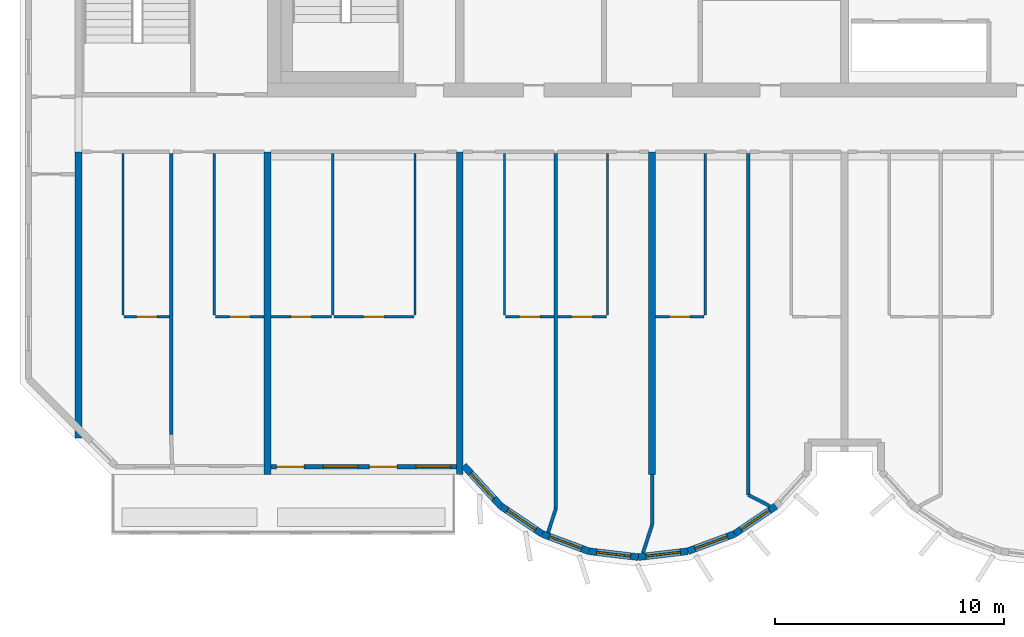
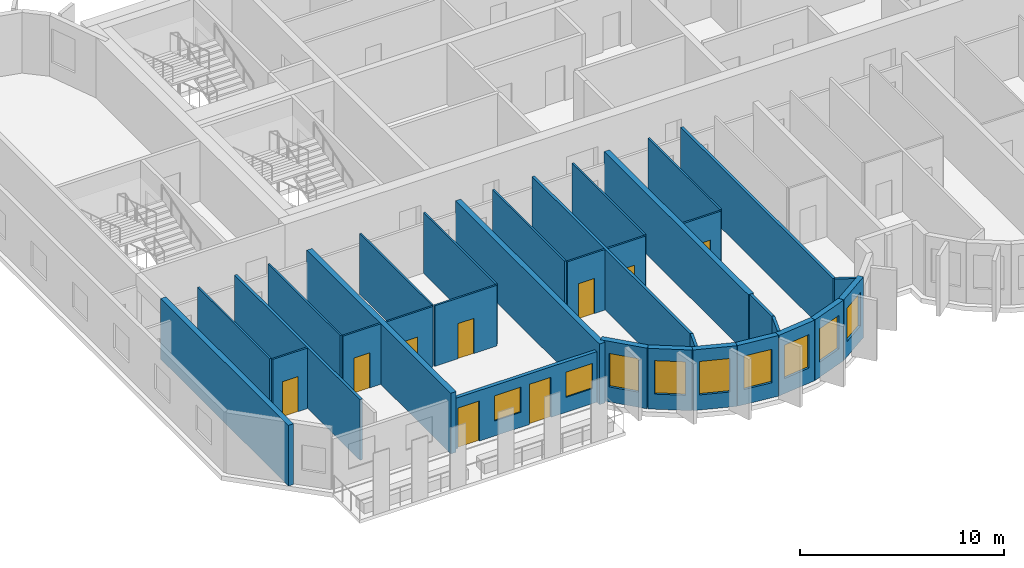
# One storey, part 2 of 11: 33 walls, 9 doors, 9 windows, 18 openings.
"""IFC4 building model written with IfcOpenShell, lengths in metres."""

from ifc_helpers import new_model, si_unit, direction, frame, frame_2d, origin, place, context, subcontext, project, spatial, rectangle, extrude, source, transform, mapped, material, layer, layer_set, type_object, element, fill, save


model = new_model("IFC4")

# Units and contexts
model_context = context("Model", 3, precision=1e-05, world=origin(), true_north=direction((0.0, 1.0)))
body_context = subcontext(model_context, "Body", "Model", "MODEL_VIEW")
ifc_project = project(units=[si_unit("LENGTHUNIT", "METRE"), si_unit("AREAUNIT", "SQUARE_METRE"), si_unit("VOLUMEUNIT", "CUBIC_METRE"), si_unit("PLANEANGLEUNIT", "RADIAN"), si_unit("MASSUNIT", "GRAM", prefix="KILO")], contexts=[model_context])

# Site, building, storey
site_placement = place(None, origin())
site = spatial("IfcSite", under=ifc_project, at=site_placement, CompositionType="ELEMENT")
building_placement = place(site_placement, origin())
building = spatial("IfcBuilding", under=site, at=building_placement, Name="Vanashikhar Sky Hotel", CompositionType="ELEMENT")
storey_placement = place(building_placement, frame((0.0, 0.0, 233.5)))
storey = spatial("IfcBuildingStorey", under=building, at=storey_placement, Name="L56", CompositionType="ELEMENT", Elevation=233.5)

# Walls
ifc_material_1 = material(Name="Concrete M60", Category="concrete")
ifc_layer_1 = layer(ifc_material_1, 0.300048828125)
ifc_layer_set_1 = layer_set([ifc_layer_1], Name="RC shear wall 300 Concrete M60")
wall_type_1 = type_object("IfcWallType", Name="RC shear wall 300 Concrete M60", PredefinedType="SHEAR", material=ifc_layer_set_1)
shared_shape_1 = source(origin(), body_context, "Body", "SweptSolid", [
    extrude(rectangle(XDim=12.5, YDim=0.300048828125, at=frame_2d((6.25, 0.0))), origin(), (0.0, 0.0, 1.0), 3.6201171875),
])
wall_1_placement = place(storey_placement, frame((16.949951171875, 7.10009765625, 0.0), z_axis=(0.0, 0.0, 1.0), x_axis=(0.0, 1.0, 0.0)))
element("IfcWall", 1, at=wall_1_placement, inside=storey, type_object=wall_type_1, Name="CW-L56-XW03-1", PredefinedType="SHEAR", context=body_context, shape_type="MappedRepresentation", body=[
    mapped(shared_shape_1, transform((0.0, 0.0, 0.0), scale=1.0)),
])
shared_shape_2 = source(origin(), body_context, "Body", "SweptSolid", [
    extrude(rectangle(XDim=14.10009765625, YDim=0.300048828125, at=frame_2d((7.050048828125, 0.0))), origin(), (0.0, 0.0, 1.0), 3.6201171875),
])
for number, where, z_axis, x_axis, name in (
    (2, (25.199951171875, 5.5, 0.0), (0.0, 0.0, 1.0), (0.0, 1.0, 0.0), "CW-L56-XW04-1"),
    (3, (33.60009765625, 5.5, 0.0), (0.0, 0.0, 1.0), (0.0, 1.0, 0.0), "CW-L56-XW05-1"),
    (4, (42.0, 5.5, 0.0), (0.0, 0.0, 1.0), (0.0, 1.0, 0.0), "CW-L56-XW06-1"),
):
    element("IfcWall", number, at=place(storey_placement, frame(where, z_axis=z_axis, x_axis=x_axis)), inside=storey, type_object=wall_type_1, Name=name, PredefinedType="SHEAR", context=body_context, shape_type="MappedRepresentation", body=[
        mapped(shared_shape_2, transform((0.0, 0.0, 0.0), scale=1.0)),
    ])

# Wall, openings, windows, doors
ifc_material_2 = material(Name="Concrete M50", Category="concrete")
ifc_layer_2 = layer(ifc_material_2, 0.199951171875)
ifc_layer_set_2 = layer_set([ifc_layer_2], Name="Front window wall 200")
wall_type_2 = type_object("IfcWallType", Name="Front window wall 200", PredefinedType="SOLIDWALL", material=ifc_layer_set_2)
shared_shape_3 = source(origin(), body_context, "Body", "SweptSolid", [
    extrude(rectangle(XDim=8.099853515625, YDim=0.199951171875, at=frame_2d((4.0498046875, 0.0))), origin(), (0.0, 0.0, 1.0), 3.02001953125),
])
wall_2_placement = place(storey_placement, frame((25.35009765625, 5.85009765625, 0.0), z_axis=(0.0, 0.0, 1.0), x_axis=(1.0, 0.0, 0.0)))
wall_2 = element("IfcWall", 5, at=wall_2_placement, inside=storey, type_object=wall_type_2, Name="Front window wall", PredefinedType="SOLIDWALL", context=body_context, shape_type="MappedRepresentation", body=[
    mapped(shared_shape_3, transform((0.0, 0.0, 0.0), scale=1.0)),
])
shared_shape_4 = source(origin(), body_context, "Body", "SweptSolid", [
    extrude(rectangle(XDim=1.199951171875, YDim=2.39990234375, at=frame_2d((0.60009765625, 1.199951171875))), frame((0.0, 0.10986328125, 0.0), z_axis=(0.0, -1.0, 0.0), x_axis=(1.0, 0.0, 0.0)), (0.0, 0.0, 1.0), 0.219970703125),
])
opening_1_placement = place(wall_2_placement, frame((0.25, 0.0, 0.0)))
opening_1 = element("IfcOpeningElement", 6, at=opening_1_placement, cuts=wall_2, Name="Opening BD-01", PredefinedType="OPENING", context=body_context, shape_type="MappedRepresentation", body=[
    mapped(shared_shape_4, transform((0.0, 0.0, 0.0), scale=1.0)),
])
shared_shape_5 = source(origin(), body_context, "Body", "SweptSolid", [
    extrude(rectangle(XDim=1.5, YDim=1.5, at=frame_2d((0.75, 0.75))), frame((0.0, 0.10986328125, 0.0), z_axis=(0.0, -1.0, 0.0), x_axis=(1.0, 0.0, 0.0)), (0.0, 0.0, 1.0), 0.219970703125),
])
opening_2_placement = place(wall_2_placement, frame((2.300048828125, 0.0, 0.89990234375)))
opening_2 = element("IfcOpeningElement", 7, at=opening_2_placement, cuts=wall_2, Name="Opening WN-1", PredefinedType="OPENING", context=body_context, shape_type="MappedRepresentation", body=[
    mapped(shared_shape_5, transform((0.0, 0.0, 0.0), scale=1.0)),
])
opening_3_placement = place(wall_2_placement, frame((4.300048828125, 0.0, 0.0)))
opening_3 = element("IfcOpeningElement", 8, at=opening_3_placement, cuts=wall_2, Name="Opening BD-02", PredefinedType="OPENING", context=body_context, shape_type="MappedRepresentation", body=[
    mapped(shared_shape_4, transform((0.0, 0.0, 0.0), scale=1.0)),
])
opening_4_placement = place(wall_2_placement, frame((6.35009765625, 0.0, 0.89990234375)))
opening_4 = element("IfcOpeningElement", 9, at=opening_4_placement, cuts=wall_2, Name="Opening WN-1", PredefinedType="OPENING", context=body_context, shape_type="MappedRepresentation", body=[
    mapped(shared_shape_5, transform((0.0, 0.0, 0.0), scale=1.0)),
])
ifc_material_3 = material(Name="Glass", Category="glass")
window_type_1 = type_object("IfcWindowType", Name="Window 1500 x 1500", PartitioningType="SINGLE_PANEL", PredefinedType="WINDOW", material=ifc_material_3)
shared_shape_6 = source(origin(), body_context, "Body", "SweptSolid", [
    extrude(rectangle(XDim=1.5, YDim=1.5, at=frame_2d((0.75, 0.75))), frame((0.0, 0.030029296875, 0.0), z_axis=(0.0, -1.0, 0.0), x_axis=(1.0, 0.0, 0.0)), (0.0, 0.0, 1.0), 0.06005859375),
])
window_1_placement = place(opening_2_placement, origin())
window_1 = element("IfcWindow", 10, at=window_1_placement, inside=storey, type_object=window_type_1, Name="Window WN-1", OverallHeight=1.5, OverallWidth=1.5, PartitioningType="SINGLE_PANEL", PredefinedType="WINDOW", context=body_context, shape_type="MappedRepresentation", body=[
    mapped(shared_shape_6, transform((0.0, 0.0, 0.0), scale=1.0)),
])
fill(opening_2, window_1)
window_2_placement = place(opening_4_placement, origin())
window_2 = element("IfcWindow", 11, at=window_2_placement, inside=storey, type_object=window_type_1, Name="Window WN-1", OverallHeight=1.5, OverallWidth=1.5, PartitioningType="SINGLE_PANEL", PredefinedType="WINDOW", context=body_context, shape_type="MappedRepresentation", body=[
    mapped(shared_shape_6, transform((0.0, 0.0, 0.0), scale=1.0)),
])
fill(opening_4, window_2)
ifc_material_4 = material(Name="Aluminium", Category="aluminium")
door_type_1 = type_object("IfcDoorType", Name="Balcony sliding door 1200 x 2400", OperationType="NOTDEFINED", PredefinedType="DOOR", material=ifc_material_4)
shared_shape_7 = source(origin(), body_context, "Body", "SweptSolid", [
    extrude(rectangle(XDim=1.199951171875, YDim=2.39990234375, at=frame_2d((0.60009765625, 1.199951171875))), frame((0.0, 0.02490234375, 0.0), z_axis=(0.0, -1.0, 0.0), x_axis=(1.0, 0.0, 0.0)), (0.0, 0.0, 1.0), 0.050048828125),
])
door_1_placement = place(opening_1_placement, origin())
door_1 = element("IfcDoor", 12, at=door_1_placement, inside=storey, type_object=door_type_1, Name="Balcony sliding door", OperationType="SLIDING_TO_LEFT", OverallHeight=2.39990234375, OverallWidth=1.199951171875, PredefinedType="DOOR", context=body_context, shape_type="MappedRepresentation", body=[
    mapped(shared_shape_7, transform((0.0, 0.0, 0.0), scale=1.0)),
])
fill(opening_1, door_1)
door_2_placement = place(opening_3_placement, origin())
door_2 = element("IfcDoor", 13, at=door_2_placement, inside=storey, type_object=door_type_1, Name="Balcony sliding door", OperationType="SLIDING_TO_RIGHT", OverallHeight=2.39990234375, OverallWidth=1.199951171875, PredefinedType="DOOR", context=body_context, shape_type="MappedRepresentation", body=[
    mapped(shared_shape_7, transform((0.0, 0.0, 0.0), scale=1.0)),
])
fill(opening_3, door_2)

# Wall, opening, window
ifc_layer_3 = layer(ifc_material_2, 0.300048828125)
ifc_layer_set_3 = layer_set([ifc_layer_3], Name="Lobe wall 300")
wall_type_3 = type_object("IfcWallType", Name="Lobe wall 300", PredefinedType="SOLIDWALL", material=ifc_layer_set_3)
shared_shape_8 = source(origin(), body_context, "Body", "SweptSolid", [
    extrude(rectangle(XDim=2.398193359375, YDim=0.300048828125, at=frame_2d((1.19921875, 0.0))), origin(), (0.0, 0.0, 1.0), 3.6201171875),
])
wall_3_placement = place(storey_placement, frame((33.776123046875, 5.89990234375, 0.0), z_axis=(0.0, 0.0, 1.0), x_axis=(0.675374189419, -0.737475222815, 0.0)))
wall_3 = element("IfcWall", 14, at=wall_3_placement, inside=storey, type_object=wall_type_3, Name="Lobe wall", PredefinedType="SOLIDWALL", context=body_context, shape_type="MappedRepresentation", body=[
    mapped(shared_shape_8, transform((0.0, 0.0, 0.0), scale=1.0)),
])
shared_shape_9 = source(origin(), body_context, "Body", "SweptSolid", [
    extrude(rectangle(XDim=1.5, YDim=2.0, at=frame_2d((0.75, 1.0))), frame((0.0, 0.16015625, 0.0), z_axis=(0.0, -1.0, 0.0), x_axis=(1.0, 0.0, 0.0)), (0.0, 0.0, 1.0), 0.320068359375),
])
opening_5_placement = place(wall_3_placement, frame((0.44921875, 0.0, 0.89990234375)))
opening_5 = element("IfcOpeningElement", 15, at=opening_5_placement, cuts=wall_3, Name="Opening WN-2", PredefinedType="OPENING", context=body_context, shape_type="MappedRepresentation", body=[
    mapped(shared_shape_9, transform((0.0, 0.0, 0.0), scale=1.0)),
])
window_type_2 = type_object("IfcWindowType", Name="Lobe window 1500 x 2000", PartitioningType="SINGLE_PANEL", PredefinedType="WINDOW", material=ifc_material_3)
shared_shape_10 = source(origin(), body_context, "Body", "SweptSolid", [
    extrude(rectangle(XDim=1.5, YDim=2.0, at=frame_2d((0.75, 1.0))), frame((0.0, 0.030029296875, 0.0), z_axis=(0.0, -1.0, 0.0), x_axis=(1.0, 0.0, 0.0)), (0.0, 0.0, 1.0), 0.06005859375),
])
window_3_placement = place(opening_5_placement, origin())
window_3 = element("IfcWindow", 16, at=window_3_placement, inside=storey, type_object=window_type_2, Name="Window WN-2", OverallHeight=2.0, OverallWidth=1.5, PartitioningType="SINGLE_PANEL", PredefinedType="WINDOW", context=body_context, shape_type="MappedRepresentation", body=[
    mapped(shared_shape_10, transform((0.0, 0.0, 0.0), scale=1.0)),
])
fill(opening_5, window_3)

shared_shape_11 = source(origin(), body_context, "Body", "SweptSolid", [
    extrude(rectangle(XDim=2.17578125, YDim=0.300048828125, at=frame_2d((1.087890625, 0.0))), origin(), (0.0, 0.0, 1.0), 3.6201171875),
])
wall_4_placement = place(storey_placement, frame((35.395751953125, 4.13134765625, 0.0), z_axis=(0.0, 0.0, 1.0), x_axis=(0.829590746428, -0.558371913192, 0.0)))
wall_4 = element("IfcWall", 17, at=wall_4_placement, inside=storey, type_object=wall_type_3, Name="Lobe wall", PredefinedType="SOLIDWALL", context=body_context, shape_type="MappedRepresentation", body=[
    mapped(shared_shape_11, transform((0.0, 0.0, 0.0), scale=1.0)),
])
opening_6_placement = place(wall_4_placement, frame((0.337890625, 0.0, 0.89990234375)))
opening_6 = element("IfcOpeningElement", 18, at=opening_6_placement, cuts=wall_4, Name="Opening WN-2", PredefinedType="OPENING", context=body_context, shape_type="MappedRepresentation", body=[
    mapped(shared_shape_9, transform((0.0, 0.0, 0.0), scale=1.0)),
])
window_4_placement = place(opening_6_placement, origin())
window_4 = element("IfcWindow", 19, at=window_4_placement, inside=storey, type_object=window_type_2, Name="Window WN-2", OverallHeight=2.0, OverallWidth=1.5, PartitioningType="SINGLE_PANEL", PredefinedType="WINDOW", context=body_context, shape_type="MappedRepresentation", body=[
    mapped(shared_shape_10, transform((0.0, 0.0, 0.0), scale=1.0)),
])
fill(opening_6, window_4)

wall_5_placement = place(storey_placement, frame((37.20068359375, 2.91650390625, 0.0), z_axis=(0.0, 0.0, 1.0), x_axis=(0.93754555999, -0.347862505801, 0.0)))
wall_5 = element("IfcWall", 20, at=wall_5_placement, inside=storey, type_object=wall_type_3, Name="Lobe wall", PredefinedType="SOLIDWALL", context=body_context, shape_type="MappedRepresentation", body=[
    mapped(shared_shape_11, transform((0.0, 0.0, 0.0), scale=1.0)),
])
opening_7_placement = place(wall_5_placement, frame((0.337890625, 0.0, 0.89990234375)))
opening_7 = element("IfcOpeningElement", 21, at=opening_7_placement, cuts=wall_5, Name="Opening WN-2", PredefinedType="OPENING", context=body_context, shape_type="MappedRepresentation", body=[
    mapped(shared_shape_9, transform((0.0, 0.0, 0.0), scale=1.0)),
])
window_5_placement = place(opening_7_placement, origin())
window_5 = element("IfcWindow", 22, at=window_5_placement, inside=storey, type_object=window_type_2, Name="Window WN-2", OverallHeight=2.0, OverallWidth=1.5, PartitioningType="SINGLE_PANEL", PredefinedType="WINDOW", context=body_context, shape_type="MappedRepresentation", body=[
    mapped(shared_shape_10, transform((0.0, 0.0, 0.0), scale=1.0)),
])
fill(opening_7, window_5)

wall_6_placement = place(storey_placement, frame((45.59912109375, 2.91650390625, 0.0), z_axis=(0.0, 0.0, 1.0), x_axis=(0.829625727223, 0.558319937607, 0.0)))
wall_6 = element("IfcWall", 23, at=wall_6_placement, inside=storey, type_object=wall_type_3, Name="Lobe wall", PredefinedType="SOLIDWALL", context=body_context, shape_type="MappedRepresentation", body=[
    mapped(shared_shape_11, transform((0.0, 0.0, 0.0), scale=1.0)),
])
opening_8_placement = place(wall_6_placement, frame((0.337890625, 0.0, 0.89990234375)))
opening_8 = element("IfcOpeningElement", 24, at=opening_8_placement, cuts=wall_6, Name="Opening WN-2", PredefinedType="OPENING", context=body_context, shape_type="MappedRepresentation", body=[
    mapped(shared_shape_9, transform((0.0, 0.0, 0.0), scale=1.0)),
])
window_6_placement = place(opening_8_placement, origin())
window_6 = element("IfcWindow", 25, at=window_6_placement, inside=storey, type_object=window_type_2, Name="Window WN-2", OverallHeight=2.0, OverallWidth=1.5, PartitioningType="SINGLE_PANEL", PredefinedType="WINDOW", context=body_context, shape_type="MappedRepresentation", body=[
    mapped(shared_shape_10, transform((0.0, 0.0, 0.0), scale=1.0)),
])
fill(opening_8, window_6)

shared_shape_12 = source(origin(), body_context, "Body", "SweptSolid", [
    extrude(rectangle(XDim=2.174560546875, YDim=0.300048828125, at=frame_2d((1.08740234375, 0.0))), origin(), (0.0, 0.0, 1.0), 3.6201171875),
])
wall_7_placement = place(storey_placement, frame((39.240478515625, 2.15966796875, 0.0), z_axis=(0.0, 0.0, 1.0), x_axis=(0.993001132889, -0.118104826659, 0.0)))
wall_7 = element("IfcWall", 26, at=wall_7_placement, inside=storey, type_object=wall_type_3, Name="Lobe wall", PredefinedType="SOLIDWALL", context=body_context, shape_type="MappedRepresentation", body=[
    mapped(shared_shape_12, transform((0.0, 0.0, 0.0), scale=1.0)),
])
opening_9_placement = place(wall_7_placement, frame((0.33740234375, 0.0, 0.89990234375)))
opening_9 = element("IfcOpeningElement", 27, at=opening_9_placement, cuts=wall_7, Name="Opening WN-2", PredefinedType="OPENING", context=body_context, shape_type="MappedRepresentation", body=[
    mapped(shared_shape_9, transform((0.0, 0.0, 0.0), scale=1.0)),
])
window_7_placement = place(opening_9_placement, origin())
window_7 = element("IfcWindow", 28, at=window_7_placement, inside=storey, type_object=window_type_2, Name="Window WN-2", OverallHeight=2.0, OverallWidth=1.5, PartitioningType="SINGLE_PANEL", PredefinedType="WINDOW", context=body_context, shape_type="MappedRepresentation", body=[
    mapped(shared_shape_10, transform((0.0, 0.0, 0.0), scale=1.0)),
])
fill(opening_9, window_7)

shared_shape_13 = source(origin(), body_context, "Body", "SweptSolid", [
    extrude(rectangle(XDim=2.1748046875, YDim=0.300048828125, at=frame_2d((1.08740234375, 0.0))), origin(), (0.0, 0.0, 1.0), 3.6201171875),
])
wall_8_placement = place(storey_placement, frame((41.39990234375, 1.90283203125, 0.0), z_axis=(0.0, 0.0, 1.0), x_axis=(0.993002698611, 0.118091661648, 0.0)))
wall_8 = element("IfcWall", 29, at=wall_8_placement, inside=storey, type_object=wall_type_3, Name="Lobe wall", PredefinedType="SOLIDWALL", context=body_context, shape_type="MappedRepresentation", body=[
    mapped(shared_shape_13, transform((0.0, 0.0, 0.0), scale=1.0)),
])
opening_10_placement = place(wall_8_placement, frame((0.33740234375, 0.0, 0.89990234375)))
opening_10 = element("IfcOpeningElement", 30, at=opening_10_placement, cuts=wall_8, Name="Opening WN-2", PredefinedType="OPENING", context=body_context, shape_type="MappedRepresentation", body=[
    mapped(shared_shape_9, transform((0.0, 0.0, 0.0), scale=1.0)),
])
window_8_placement = place(opening_10_placement, origin())
window_8 = element("IfcWindow", 31, at=window_8_placement, inside=storey, type_object=window_type_2, Name="Window WN-2", OverallHeight=2.0, OverallWidth=1.5, PartitioningType="SINGLE_PANEL", PredefinedType="WINDOW", context=body_context, shape_type="MappedRepresentation", body=[
    mapped(shared_shape_10, transform((0.0, 0.0, 0.0), scale=1.0)),
])
fill(opening_10, window_8)

shared_shape_14 = source(origin(), body_context, "Body", "SweptSolid", [
    extrude(rectangle(XDim=2.175537109375, YDim=0.300048828125, at=frame_2d((1.087890625, 0.0))), origin(), (0.0, 0.0, 1.0), 3.6201171875),
])
wall_9_placement = place(storey_placement, frame((43.5595703125, 2.15966796875, 0.0), z_axis=(0.0, 0.0, 1.0), x_axis=(0.937531979054, 0.347899106424, 0.0)))
wall_9 = element("IfcWall", 32, at=wall_9_placement, inside=storey, type_object=wall_type_3, Name="Lobe wall", PredefinedType="SOLIDWALL", context=body_context, shape_type="MappedRepresentation", body=[
    mapped(shared_shape_14, transform((0.0, 0.0, 0.0), scale=1.0)),
])
opening_11_placement = place(wall_9_placement, frame((0.337890625, 0.0, 0.89990234375)))
opening_11 = element("IfcOpeningElement", 33, at=opening_11_placement, cuts=wall_9, Name="Opening WN-2", PredefinedType="OPENING", context=body_context, shape_type="MappedRepresentation", body=[
    mapped(shared_shape_9, transform((0.0, 0.0, 0.0), scale=1.0)),
])
window_9_placement = place(opening_11_placement, origin())
window_9 = element("IfcWindow", 34, at=window_9_placement, inside=storey, type_object=window_type_2, Name="Window WN-2", OverallHeight=2.0, OverallWidth=1.5, PartitioningType="SINGLE_PANEL", PredefinedType="WINDOW", context=body_context, shape_type="MappedRepresentation", body=[
    mapped(shared_shape_10, transform((0.0, 0.0, 0.0), scale=1.0)),
])
fill(opening_11, window_9)

# Walls
ifc_material_5 = material(Name="Gypsum plasterboard partition")
ifc_layer_4 = layer(ifc_material_5, 0.10009765625)
ifc_layer_set_4 = layer_set([ifc_layer_4], Name="Wet room partition 100")
wall_type_4 = type_object("IfcWallType", Name="Wet room partition 100", PredefinedType="PARTITIONING", material=ifc_layer_set_4)
shared_shape_15 = source(origin(), body_context, "Body", "SweptSolid", [
    extrude(rectangle(XDim=7.0498046875, YDim=0.10009765625, at=frame_2d((3.52490234375, 0.0))), origin(), (0.0, 0.0, 1.0), 3.6201171875),
])
for number, where, z_axis, x_axis, name in (
    (35, (18.89990234375, 12.47509765625, 0.0), (0.0, 0.0, 1.0), (0.0, 1.0, 0.0), "W-L56-PW001"),
    (36, (22.875, 12.47509765625, 0.0), (0.0, 0.0, 1.0), (0.0, 1.0, 0.0), "W-L56-PW004"),
    (37, (31.64990234375, 12.47509765625, 0.0), (0.0, 0.0, 1.0), (0.0, 1.0, 0.0), "W-L56-PW008"),
    (38, (28.050048828125, 12.47509765625, 0.0), (0.0, 0.0, 1.0), (0.0, 1.0, 0.0), "W-L56-PW009"),
    (39, (35.550048828125, 12.47509765625, 0.0), (0.0, 0.0, 1.0), (0.0, 1.0, 0.0), "W-L56-PW013"),
    (40, (40.050048828125, 12.47509765625, 0.0), (0.0, 0.0, 1.0), (0.0, 1.0, 0.0), "W-L56-PW016"),
    (41, (44.324951171875, 12.47509765625, 0.0), (0.0, 0.0, 1.0), (0.0, 1.0, 0.0), "W-L56-PW020"),
):
    element("IfcWall", number, at=place(storey_placement, frame(where, z_axis=z_axis, x_axis=x_axis)), inside=storey, type_object=wall_type_4, Name=name, PredefinedType="PARTITIONING", context=body_context, shape_type="MappedRepresentation", body=[
        mapped(shared_shape_15, transform((0.0, 0.0, 0.0), scale=1.0)),
    ])

# Wall, opening, door
shared_shape_16 = source(origin(), body_context, "Body", "SweptSolid", [
    extrude(rectangle(XDim=1.97509765625, YDim=0.10009765625, at=frame_2d((0.987548828125, 0.0))), origin(), (0.0, 0.0, 1.0), 3.6201171875),
])
wall_10_placement = place(storey_placement, frame((18.949951171875, 12.39990234375, 0.0), z_axis=(0.0, 0.0, 1.0), x_axis=(1.0, 0.0, 0.0)))
wall_10 = element("IfcWall", 42, at=wall_10_placement, inside=storey, type_object=wall_type_4, Name="W-L56-PW002", PredefinedType="PARTITIONING", context=body_context, shape_type="MappedRepresentation", body=[
    mapped(shared_shape_16, transform((0.0, 0.0, 0.0), scale=1.0)),
])
shared_shape_17 = source(origin(), body_context, "Body", "SweptSolid", [
    extrude(rectangle(XDim=0.89990234375, YDim=2.10009765625, at=frame_2d((0.449951171875, 1.050048828125))), frame((0.0, 0.06005859375, 0.0), z_axis=(0.0, -1.0, 0.0), x_axis=(1.0, 0.0, 0.0)), (0.0, 0.0, 1.0), 0.1201171875),
])
opening_12_placement = place(wall_10_placement, frame((0.5380859375, 0.0, 0.0)))
opening_12 = element("IfcOpeningElement", 43, at=opening_12_placement, cuts=wall_10, Name="Opening D-02", PredefinedType="OPENING", context=body_context, shape_type="MappedRepresentation", body=[
    mapped(shared_shape_17, transform((0.0, 0.0, 0.0), scale=1.0)),
])
ifc_material_6 = material(Name="Timber door", Category="wood")
door_type_2 = type_object("IfcDoorType", Name="Internal door 900", OperationType="NOTDEFINED", PredefinedType="DOOR", material=ifc_material_6)
shared_shape_18 = source(origin(), body_context, "Body", "SweptSolid", [
    extrude(rectangle(XDim=0.89990234375, YDim=2.10009765625, at=frame_2d((0.449951171875, 1.050048828125))), frame((0.0, 0.02490234375, 0.0), z_axis=(0.0, -1.0, 0.0), x_axis=(1.0, 0.0, 0.0)), (0.0, 0.0, 1.0), 0.050048828125),
])
door_3_placement = place(opening_12_placement, origin())
door_3 = element("IfcDoor", 44, at=door_3_placement, inside=storey, type_object=door_type_2, Name="D-L56-001", OperationType="SINGLE_SWING_LEFT", OverallHeight=2.10009765625, OverallWidth=0.89990234375, PredefinedType="DOOR", context=body_context, shape_type="MappedRepresentation", body=[
    mapped(shared_shape_18, transform((0.0, 0.0, 0.0), scale=1.0)),
])
fill(opening_12, door_3)

shared_shape_19 = source(origin(), body_context, "Body", "SweptSolid", [
    extrude(rectangle(XDim=2.125, YDim=0.10009765625, at=frame_2d((1.0625, 0.0))), origin(), (0.0, 0.0, 1.0), 3.6201171875),
])
wall_11_placement = place(storey_placement, frame((22.925048828125, 12.39990234375, 0.0), z_axis=(0.0, 0.0, 1.0), x_axis=(1.0, 0.0, 0.0)))
wall_11 = element("IfcWall", 45, at=wall_11_placement, inside=storey, type_object=wall_type_4, Name="W-L56-PW005", PredefinedType="PARTITIONING", context=body_context, shape_type="MappedRepresentation", body=[
    mapped(shared_shape_19, transform((0.0, 0.0, 0.0), scale=1.0)),
])
opening_13_placement = place(wall_11_placement, frame((0.613037109375, 0.0, 0.0)))
opening_13 = element("IfcOpeningElement", 46, at=opening_13_placement, cuts=wall_11, Name="Opening D-02", PredefinedType="OPENING", context=body_context, shape_type="MappedRepresentation", body=[
    mapped(shared_shape_17, transform((0.0, 0.0, 0.0), scale=1.0)),
])
door_4_placement = place(opening_13_placement, origin())
door_4 = element("IfcDoor", 47, at=door_4_placement, inside=storey, type_object=door_type_2, Name="D-L56-003", OperationType="SINGLE_SWING_LEFT", OverallHeight=2.10009765625, OverallWidth=0.89990234375, PredefinedType="DOOR", context=body_context, shape_type="MappedRepresentation", body=[
    mapped(shared_shape_18, transform((0.0, 0.0, 0.0), scale=1.0)),
])
fill(opening_13, door_4)

wall_12_placement = place(storey_placement, frame((35.60009765625, 12.39990234375, 0.0), z_axis=(0.0, 0.0, 1.0), x_axis=(1.0, 0.0, 0.0)))
wall_12 = element("IfcWall", 48, at=wall_12_placement, inside=storey, type_object=wall_type_4, Name="W-L56-PW014", PredefinedType="PARTITIONING", context=body_context, shape_type="MappedRepresentation", body=[
    mapped(shared_shape_19, transform((0.0, 0.0, 0.0), scale=1.0)),
])
opening_14_placement = place(wall_12_placement, frame((0.612060546875, 0.0, 0.0)))
opening_14 = element("IfcOpeningElement", 49, at=opening_14_placement, cuts=wall_12, Name="Opening D-02", PredefinedType="OPENING", context=body_context, shape_type="MappedRepresentation", body=[
    mapped(shared_shape_17, transform((0.0, 0.0, 0.0), scale=1.0)),
])
door_5_placement = place(opening_14_placement, origin())
door_5 = element("IfcDoor", 50, at=door_5_placement, inside=storey, type_object=door_type_2, Name="D-L56-008", OperationType="SINGLE_SWING_LEFT", OverallHeight=2.10009765625, OverallWidth=0.89990234375, PredefinedType="DOOR", context=body_context, shape_type="MappedRepresentation", body=[
    mapped(shared_shape_18, transform((0.0, 0.0, 0.0), scale=1.0)),
])
fill(opening_14, door_5)

wall_13_placement = place(storey_placement, frame((37.875, 12.39990234375, 0.0), z_axis=(0.0, 0.0, 1.0), x_axis=(1.0, 0.0, 0.0)))
wall_13 = element("IfcWall", 51, at=wall_13_placement, inside=storey, type_object=wall_type_4, Name="W-L56-PW017", PredefinedType="PARTITIONING", context=body_context, shape_type="MappedRepresentation", body=[
    mapped(shared_shape_19, transform((0.0, 0.0, 0.0), scale=1.0)),
])
opening_15_placement = place(wall_13_placement, frame((0.612060546875, 0.0, 0.0)))
opening_15 = element("IfcOpeningElement", 52, at=opening_15_placement, cuts=wall_13, Name="Opening D-02", PredefinedType="OPENING", context=body_context, shape_type="MappedRepresentation", body=[
    mapped(shared_shape_17, transform((0.0, 0.0, 0.0), scale=1.0)),
])
door_6_placement = place(opening_15_placement, origin())
door_6 = element("IfcDoor", 53, at=door_6_placement, inside=storey, type_object=door_type_2, Name="D-L56-010", OperationType="SINGLE_SWING_RIGHT", OverallHeight=2.10009765625, OverallWidth=0.89990234375, PredefinedType="DOOR", context=body_context, shape_type="MappedRepresentation", body=[
    mapped(shared_shape_18, transform((0.0, 0.0, 0.0), scale=1.0)),
])
fill(opening_15, door_6)

wall_14_placement = place(storey_placement, frame((42.14990234375, 12.39990234375, 0.0), z_axis=(0.0, 0.0, 1.0), x_axis=(1.0, 0.0, 0.0)))
wall_14 = element("IfcWall", 54, at=wall_14_placement, inside=storey, type_object=wall_type_4, Name="W-L56-PW021", PredefinedType="PARTITIONING", context=body_context, shape_type="MappedRepresentation", body=[
    mapped(shared_shape_19, transform((0.0, 0.0, 0.0), scale=1.0)),
])
opening_16_placement = place(wall_14_placement, frame((0.613037109375, 0.0, 0.0)))
opening_16 = element("IfcOpeningElement", 55, at=opening_16_placement, cuts=wall_14, Name="Opening D-02", PredefinedType="OPENING", context=body_context, shape_type="MappedRepresentation", body=[
    mapped(shared_shape_17, transform((0.0, 0.0, 0.0), scale=1.0)),
])
door_7_placement = place(opening_16_placement, origin())
door_7 = element("IfcDoor", 56, at=door_7_placement, inside=storey, type_object=door_type_2, Name="D-L56-012", OperationType="SINGLE_SWING_RIGHT", OverallHeight=2.10009765625, OverallWidth=0.89990234375, PredefinedType="DOOR", context=body_context, shape_type="MappedRepresentation", body=[
    mapped(shared_shape_18, transform((0.0, 0.0, 0.0), scale=1.0)),
])
fill(opening_16, door_7)

# Wall
ifc_layer_5 = layer(ifc_material_5, 0.14990234375)
ifc_layer_set_5 = layer_set([ifc_layer_5], Name="Corridor and demising partition 150")
wall_type_5 = type_object("IfcWallType", Name="Corridor and demising partition 150", PredefinedType="PARTITIONING", material=ifc_layer_set_5)
shared_shape_20 = source(origin(), body_context, "Body", "SweptSolid", [
    extrude(rectangle(XDim=12.27490234375, YDim=0.14990234375, at=frame_2d((6.137451171875, 0.0))), origin(), (0.0, 0.0, 1.0), 3.6201171875),
])
wall_15_placement = place(storey_placement, frame((21.0, 7.25, 0.0), z_axis=(0.0, 0.0, 1.0), x_axis=(0.0, 1.0, 0.0)))
element("IfcWall", 57, at=wall_15_placement, inside=storey, type_object=wall_type_5, Name="W-L56-PW007", PredefinedType="PARTITIONING", context=body_context, shape_type="MappedRepresentation", body=[
    mapped(shared_shape_20, transform((0.0, 0.0, 0.0), scale=1.0)),
])

# Wall, opening, door
shared_shape_21 = source(origin(), body_context, "Body", "SweptSolid", [
    extrude(rectangle(XDim=3.5, YDim=0.10009765625, at=frame_2d((1.75, 0.0))), origin(), (0.0, 0.0, 1.0), 3.6201171875),
])
wall_16_placement = place(storey_placement, frame((28.10009765625, 12.39990234375, 0.0), z_axis=(0.0, 0.0, 1.0), x_axis=(1.0, 0.0, 0.0)))
wall_16 = element("IfcWall", 58, at=wall_16_placement, inside=storey, type_object=wall_type_4, Name="W-L56-PW010", PredefinedType="PARTITIONING", context=body_context, shape_type="MappedRepresentation", body=[
    mapped(shared_shape_21, transform((0.0, 0.0, 0.0), scale=1.0)),
])
opening_17_placement = place(wall_16_placement, frame((1.300048828125, 0.0, 0.0)))
opening_17 = element("IfcOpeningElement", 59, at=opening_17_placement, cuts=wall_16, Name="Opening D-02", PredefinedType="OPENING", context=body_context, shape_type="MappedRepresentation", body=[
    mapped(shared_shape_17, transform((0.0, 0.0, 0.0), scale=1.0)),
])
door_8_placement = place(opening_17_placement, origin())
door_8 = element("IfcDoor", 60, at=door_8_placement, inside=storey, type_object=door_type_2, Name="D-L56-005", OperationType="SINGLE_SWING_RIGHT", OverallHeight=2.10009765625, OverallWidth=0.89990234375, PredefinedType="DOOR", context=body_context, shape_type="MappedRepresentation", body=[
    mapped(shared_shape_18, transform((0.0, 0.0, 0.0), scale=1.0)),
])
fill(opening_17, door_8)

shared_shape_22 = source(origin(), body_context, "Body", "SweptSolid", [
    extrude(rectangle(XDim=2.64990234375, YDim=0.10009765625, at=frame_2d((1.324951171875, 0.0))), origin(), (0.0, 0.0, 1.0), 3.6201171875),
])
wall_17_placement = place(storey_placement, frame((25.35009765625, 12.39990234375, 0.0), z_axis=(0.0, 0.0, 1.0), x_axis=(1.0, 0.0, 0.0)))
wall_17 = element("IfcWall", 61, at=wall_17_placement, inside=storey, type_object=wall_type_4, Name="W-L56-PW011", PredefinedType="PARTITIONING", context=body_context, shape_type="MappedRepresentation", body=[
    mapped(shared_shape_22, transform((0.0, 0.0, 0.0), scale=1.0)),
])
opening_18_placement = place(wall_17_placement, frame((0.875, 0.0, 0.0)))
opening_18 = element("IfcOpeningElement", 62, at=opening_18_placement, cuts=wall_17, Name="Opening D-02", PredefinedType="OPENING", context=body_context, shape_type="MappedRepresentation", body=[
    mapped(shared_shape_17, transform((0.0, 0.0, 0.0), scale=1.0)),
])
door_9_placement = place(opening_18_placement, origin())
door_9 = element("IfcDoor", 63, at=door_9_placement, inside=storey, type_object=door_type_2, Name="D-L56-006", OperationType="SINGLE_SWING_RIGHT", OverallHeight=2.10009765625, OverallWidth=0.89990234375, PredefinedType="DOOR", context=body_context, shape_type="MappedRepresentation", body=[
    mapped(shared_shape_18, transform((0.0, 0.0, 0.0), scale=1.0)),
])
fill(opening_18, door_9)

# Walls
shared_shape_23 = source(origin(), body_context, "Body", "SweptSolid", [
    extrude(rectangle(XDim=14.906005859375, YDim=0.14990234375, at=frame_2d((7.453125, 0.0))), origin(), (0.0, 0.0, 1.0), 3.6201171875),
])
wall_18_placement = place(storey_placement, frame((46.199951171875, 4.618896484375, 0.0), z_axis=(0.0, 0.0, 1.0), x_axis=(0.0, 1.0, 0.0)))
element("IfcWall", 64, at=wall_18_placement, inside=storey, type_object=wall_type_5, Name="W-L56-PW026", PredefinedType="PARTITIONING", context=body_context, shape_type="MappedRepresentation", body=[
    mapped(shared_shape_23, transform((0.0, 0.0, 0.0), scale=1.0)),
])
shared_shape_24 = source(origin(), body_context, "Body", "SweptSolid", [
    extrude(rectangle(XDim=15.497802734375, YDim=0.14990234375, at=frame_2d((7.7490234375, 0.0))), origin(), (0.0, 0.0, 1.0), 3.6201171875),
])
wall_19_placement = place(storey_placement, frame((37.800048828125, 4.027099609375, 0.0), z_axis=(0.0, 0.0, 1.0), x_axis=(0.0, 1.0, 0.0)))
element("IfcWall", 65, at=wall_19_placement, inside=storey, type_object=wall_type_5, Name="W-L56-PW019", PredefinedType="PARTITIONING", context=body_context, shape_type="MappedRepresentation", body=[
    mapped(shared_shape_24, transform((0.0, 0.0, 0.0), scale=1.0)),
])
shared_shape_25 = source(origin(), body_context, "Body", "SweptSolid", [
    extrude(rectangle(XDim=2.177978515625, YDim=0.14990234375, at=frame_2d((1.0888671875, 0.0))), origin(), (0.0, 0.0, 1.0), 3.6201171875),
])
wall_20_placement = place(storey_placement, frame((42.0, 3.322021484375, 0.0), z_axis=(0.0, 0.0, 1.0), x_axis=(0.0, 1.0, 0.0)))
element("IfcWall", 66, at=wall_20_placement, inside=storey, type_object=wall_type_5, Name="W-L56-PW047", PredefinedType="PARTITIONING", context=body_context, shape_type="MappedRepresentation", body=[
    mapped(shared_shape_25, transform((0.0, 0.0, 0.0), scale=1.0)),
])
shared_shape_26 = source(origin(), body_context, "Body", "SweptSolid", [
    extrude(rectangle(XDim=1.100830078125, YDim=0.14990234375, at=frame_2d((0.55029296875, 0.0))), origin(), (0.0, 0.0, 1.0), 3.6201171875),
])
wall_21_placement = place(storey_placement, frame((37.45703125, 2.98095703125, 0.0), z_axis=(0.0, 0.0, 1.0), x_axis=(0.311567081539, 0.950224159712, 0.0)))
element("IfcWall", 67, at=wall_21_placement, inside=storey, type_object=wall_type_5, Name="W-L56-PW019B0", PredefinedType="PARTITIONING", context=body_context, shape_type="MappedRepresentation", body=[
    mapped(shared_shape_26, transform((0.0, 0.0, 0.0), scale=1.0)),
])
shared_shape_27 = source(origin(), body_context, "Body", "SweptSolid", [
    extrude(rectangle(XDim=1.308349609375, YDim=0.14990234375, at=frame_2d((0.654296875, 0.0))), origin(), (0.0, 0.0, 1.0), 3.6201171875),
])
wall_22_placement = place(storey_placement, frame((41.597900390625, 2.076904296875, 0.0), z_axis=(0.0, 0.0, 1.0), x_axis=(0.307313512187, 0.951608325535, 0.0)))
element("IfcWall", 68, at=wall_22_placement, inside=storey, type_object=wall_type_5, Name="W-L56-PW047B0", PredefinedType="PARTITIONING", context=body_context, shape_type="MappedRepresentation", body=[
    mapped(shared_shape_27, transform((0.0, 0.0, 0.0), scale=1.0)),
])
shared_shape_28 = source(origin(), body_context, "Body", "SweptSolid", [
    extrude(rectangle(XDim=1.0576171875, YDim=0.14990234375, at=frame_2d((0.52880859375, 0.0))), origin(), (0.0, 0.0, 1.0), 3.6201171875),
])
wall_23_placement = place(storey_placement, frame((47.139892578125, 4.134033203125, 0.0), z_axis=(0.0, 0.0, 1.0), x_axis=(-0.888723819054, 0.458442988218, 0.0)))
element("IfcWall", 69, at=wall_23_placement, inside=storey, type_object=wall_type_5, Name="W-L56-PW026B0", PredefinedType="PARTITIONING", context=body_context, shape_type="MappedRepresentation", body=[
    mapped(shared_shape_28, transform((0.0, 0.0, 0.0), scale=1.0)),
])

save(model, "model.ifc")
